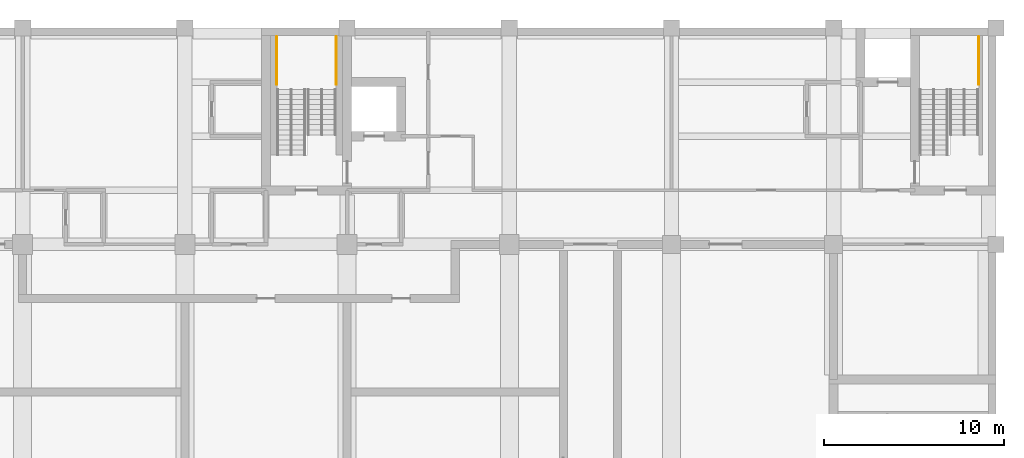
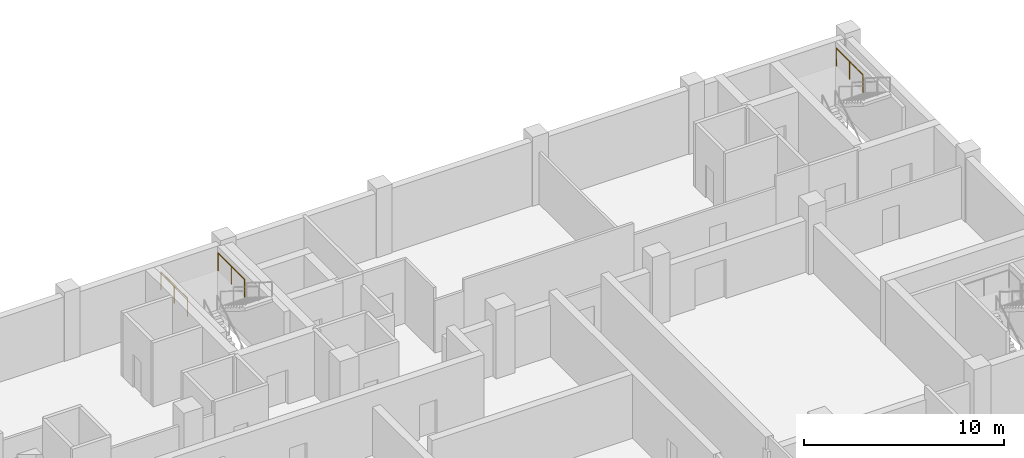
# One storey, part 16 of 16: 3 railings.
"""IFC4 building model written with IfcOpenShell, lengths in metres."""

from ifc_helpers import new_model, si_unit, direction, frame, origin, origin_2d, place, context, subcontext, project, spatial, circle, extrude, material, type_object, element, save


model = new_model("IFC4")

# Units and contexts
model_context = context("Model", 3, precision=1e-05, world=origin(), true_north=direction((0.0, 1.0)))
body_context = subcontext(model_context, "Body", "Model", "MODEL_VIEW")
ifc_project = project(units=[si_unit("LENGTHUNIT", "METRE"), si_unit("AREAUNIT", "SQUARE_METRE"), si_unit("VOLUMEUNIT", "CUBIC_METRE"), si_unit("PLANEANGLEUNIT", "RADIAN"), si_unit("MASSUNIT", "GRAM", prefix="KILO")], contexts=[model_context])

# Site, building, storey
site_placement = place(None, origin())
site = spatial("IfcSite", under=ifc_project, at=site_placement, CompositionType="ELEMENT")
building_placement = place(site_placement, origin())
building = spatial("IfcBuilding", under=site, at=building_placement, Name="Aurelan Courthouse", CompositionType="ELEMENT")
storey_placement = place(building_placement, frame((0.0, 0.0, -4.199951171875)))
storey = spatial("IfcBuildingStorey", under=building, at=storey_placement, Name="B1", CompositionType="ELEMENT", Elevation=-4.199951171875)

# Railings
ifc_material = material(Name="Steel S355", Category="steel")
railing_type = type_object("IfcRailingType", Name="Stair guard 1100", PredefinedType="GUARDRAIL", material=ifc_material)
railing_placement = place(storey_placement, frame((50.10009765625, 62.875244140625, 2.449951171875)))
element("IfcRailing", 1, at=railing_placement, inside=storey, type_object=railing_type, Name="Guard ST-2A-B1-GL1", PredefinedType="GUARDRAIL", context=body_context, shape_type="SweptSolid", body=[
    extrude(circle(Radius=0.02392578125, at=origin_2d()), frame((0.0, 0.0, 1.076171875), z_axis=(0.0, 1.0, 0.0), x_axis=(-1.0, 0.0, 0.0)), (0.0, 0.0, 1.0), 2.644775390625),
    extrude(circle(Radius=0.02099609375, at=origin_2d()), origin(), (0.0, 0.0, 1.0), 1.052001953125),
    extrude(circle(Radius=0.02099609375, at=origin_2d()), frame((0.0, 1.322265625, 0.0)), (0.0, 0.0, 1.0), 1.052001953125),
    extrude(circle(Radius=0.02099609375, at=origin_2d()), frame((0.0, 2.644775390625, 0.0)), (0.0, 0.0, 1.0), 1.052001953125),
])
for number, where, name in (
    (2, (53.39990234375, 65.52001953125, 2.449951171875), "Guard ST-2A-B1-GL2"),
    (3, (89.050048828125, 65.52001953125, 2.449951171875), "Guard ST-3B-B1-GL1"),
):
    element("IfcRailing", number, at=place(storey_placement, frame(where)), inside=storey, type_object=railing_type, Name=name, PredefinedType="GUARDRAIL", context=body_context, shape_type="SweptSolid", body=[
        extrude(circle(Radius=0.02392578125, at=origin_2d()), frame((0.0, 0.0, 1.076171875), z_axis=(0.0, -1.0, 0.0), x_axis=(1.0, 0.0, 0.0)), (0.0, 0.0, 1.0), 2.644775390625),
        extrude(circle(Radius=0.02099609375, at=origin_2d()), origin(), (0.0, 0.0, 1.0), 1.052001953125),
        extrude(circle(Radius=0.02099609375, at=origin_2d()), frame((0.0, -1.322265625, 0.0)), (0.0, 0.0, 1.0), 1.052001953125),
        extrude(circle(Radius=0.02099609375, at=origin_2d()), frame((0.0, -2.644775390625, 0.0)), (0.0, 0.0, 1.0), 1.052001953125),
    ])

save(model, "model.ifc")
